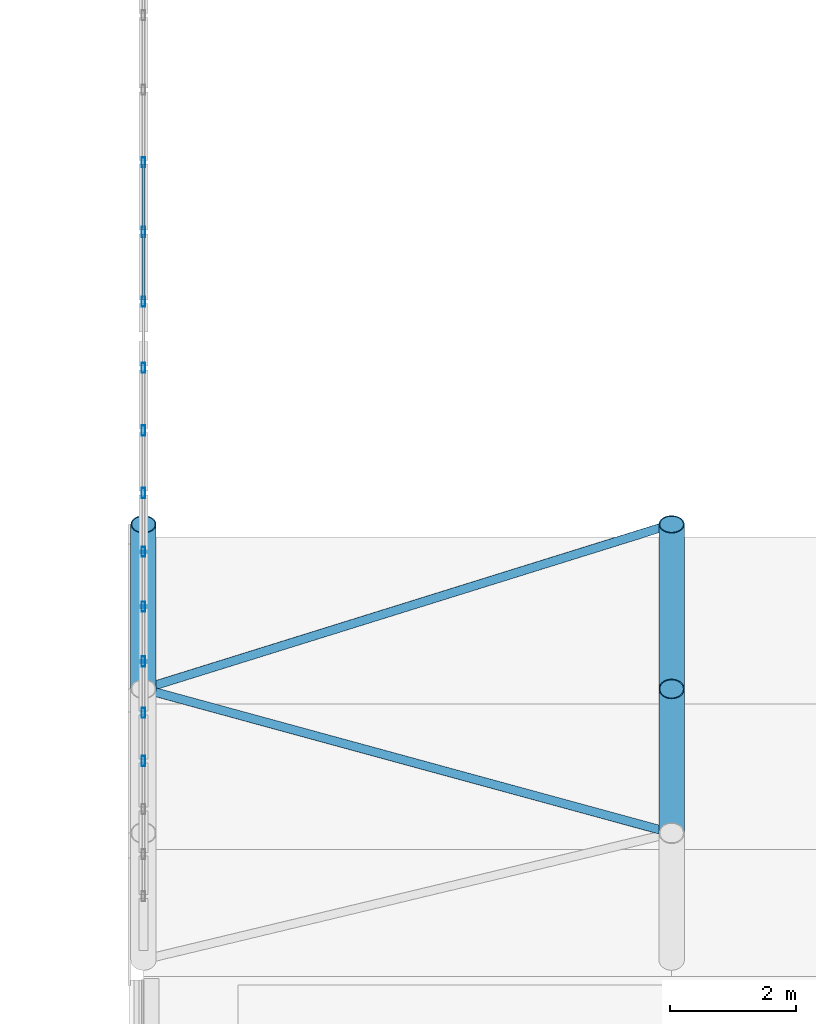
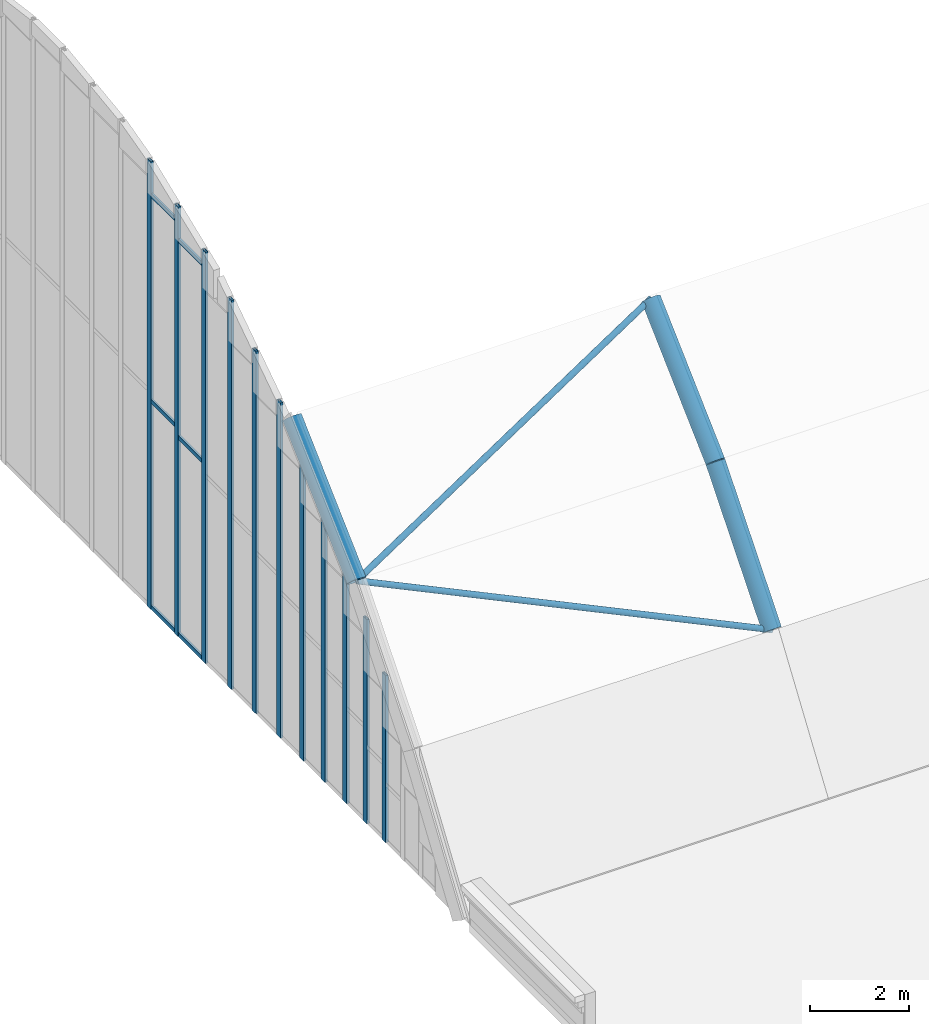
# One storey, part 15 of 77: 22 members, 1 element without a shape of its own.
"""IFC4 building model written with IfcOpenShell, lengths in metres."""

from ifc_helpers import new_model, si_unit, direction, frame, origin, origin_2d, place, context, subcontext, project, spatial, hollow_rectangle, hollow_circle, extrude, material, material_profile, profile_set, type_object, element, aggregate, save


model = new_model("IFC4")

# Units and contexts
model_context = context("Model", 3, precision=1e-05, world=origin(), true_north=direction((0.0, 1.0)))
body_context = subcontext(model_context, "Body", "Model", "MODEL_VIEW")
ifc_project = project(units=[si_unit("LENGTHUNIT", "METRE"), si_unit("AREAUNIT", "SQUARE_METRE"), si_unit("VOLUMEUNIT", "CUBIC_METRE"), si_unit("PLANEANGLEUNIT", "RADIAN"), si_unit("MASSUNIT", "GRAM", prefix="KILO")], contexts=[model_context])

# Site, building, storey
site_placement = place(None, origin())
site = spatial("IfcSite", under=ifc_project, at=site_placement, CompositionType="ELEMENT")
building_placement = place(site_placement, origin())
building = spatial("IfcBuilding", under=site, at=building_placement, Name="Catenary Quay Ferry Terminal", CompositionType="ELEMENT")
storey_placement = place(building_placement, frame((0.0, 0.0, 10.800048828125)))
storey = spatial("IfcBuildingStorey", under=building, at=storey_placement, Name="L02", CompositionType="ELEMENT", Elevation=10.800048828125)

# Members
ifc_material_1 = material(Name="Steel S355", Category="steel")
ifc_material_profile_1 = material_profile(ifc_material_1, hollow_circle(Radius=0.06982421875, WallThickness=0.008056640625, at=origin_2d()), Name="CHS 139.7x8")
ifc_profile_set_1 = profile_set([ifc_material_profile_1], Name="Steel S355")
member_type_1 = type_object("IfcMemberType", Name="BR1 CHS 139.7x8", PredefinedType="BRACE", material=ifc_profile_set_1)
member_1_placement = place(storey_placement, frame((33.60009765625, 111.215087890625, 2.970947265625), z_axis=(-0.919519375004, 0.250892199045, 0.302551191456), x_axis=(-0.263228912464, -0.964733403404, 0.0)))
element("IfcMember", 1, at=member_1_placement, inside=storey, type_object=member_type_1, Name="Roof brace BR-VD-01-02", PredefinedType="BRACE", context=body_context, shape_type="SweptSolid", body=[
    extrude(hollow_circle(Radius=0.06982421875, WallThickness=0.008056640625, at=origin_2d()), origin(), (0.0, 0.0, 1.0), 9.13525390625),
])
member_2_placement = place(storey_placement, frame((25.199951171875, 113.507080078125, 5.73486328125), z_axis=(0.919554814381, 0.28668772325, 0.268754707281), x_axis=(-0.297638235133, 0.954678731819, 0.0)))
element("IfcMember", 2, at=member_2_placement, inside=storey, type_object=member_type_1, Name="Roof brace BR-VD-01-03", PredefinedType="BRACE", context=body_context, shape_type="SweptSolid", body=[
    extrude(hollow_circle(Radius=0.06982421875, WallThickness=0.008056640625, at=origin_2d()), origin(), (0.0, 0.0, 1.0), 9.135009765625),
])

# Curtain wall, members
ifc_material_2 = material(Name="Aluminium and glass", Category="aluminium")
curtain_wall_type = type_object("IfcCurtainWallType", Name="CWA", PredefinedType="NOTDEFINED", material=ifc_material_2)
curtain_wall_placement = place(storey_placement, origin())
curtain_wall = element("IfcCurtainWall", 3, at=curtain_wall_placement, inside=storey, type_object=curtain_wall_type, Name="Arch departure hall curtain wall CW17", PredefinedType="NOTDEFINED")
ifc_material_3 = material(Name="Aluminium", Category="aluminium")
ifc_material_profile_2 = material_profile(ifc_material_3, hollow_rectangle(XDim=0.06005859375, YDim=0.159912109375, WallThickness=0.006103515625, at=origin_2d()), Name="MU5")
ifc_profile_set_2 = profile_set([ifc_material_profile_2], Name="Aluminium")
member_type_2 = type_object("IfcMemberType", Name="MU5", PredefinedType="MULLION", material=ifc_profile_set_2)
member_3_placement = place(storey_placement, frame((25.199951171875, 112.361083984375, 0.0), z_axis=(0.0, 0.0, 1.0), x_axis=(-1.0, 0.0, 0.0)))
member_3 = element("IfcMember", 4, at=member_3_placement, type_object=member_type_2, Name="CW17 mullion 4", PredefinedType="MULLION", context=body_context, shape_type="SweptSolid", body=[
    extrude(hollow_rectangle(XDim=0.06005859375, YDim=0.159912109375, WallThickness=0.006103515625, at=origin_2d()), origin(), (0.0, 0.0, 1.0), 4.133056640625),
])
member_4_placement = place(storey_placement, frame((25.199951171875, 113.125, 0.0), z_axis=(0.0, 0.0, 1.0), x_axis=(-1.0, 0.0, 0.0)))
member_4 = element("IfcMember", 5, at=member_4_placement, type_object=member_type_2, Name="CW17 mullion 5", PredefinedType="MULLION", context=body_context, shape_type="SweptSolid", body=[
    extrude(hollow_rectangle(XDim=0.06005859375, YDim=0.159912109375, WallThickness=0.006103515625, at=origin_2d()), origin(), (0.0, 0.0, 1.0), 5.05419921875),
])
member_5_placement = place(storey_placement, frame((25.199951171875, 113.943603515625, 0.0), z_axis=(0.0, 0.0, 1.0), x_axis=(-1.0, 0.0, 0.0)))
member_5 = element("IfcMember", 6, at=member_5_placement, type_object=member_type_2, Name="CW17 mullion 6", PredefinedType="MULLION", context=body_context, shape_type="SweptSolid", body=[
    extrude(hollow_rectangle(XDim=0.06005859375, YDim=0.159912109375, WallThickness=0.006103515625, at=origin_2d()), origin(), (0.0, 0.0, 1.0), 5.924072265625),
])
member_6_placement = place(storey_placement, frame((25.199951171875, 114.81640625, 0.0), z_axis=(0.0, 0.0, 1.0), x_axis=(-1.0, 0.0, 0.0)))
member_6 = element("IfcMember", 7, at=member_6_placement, type_object=member_type_2, Name="CW17 mullion 7", PredefinedType="MULLION", context=body_context, shape_type="SweptSolid", body=[
    extrude(hollow_rectangle(XDim=0.06005859375, YDim=0.159912109375, WallThickness=0.006103515625, at=origin_2d()), origin(), (0.0, 0.0, 1.0), 6.742431640625),
])
member_7_placement = place(storey_placement, frame((25.199951171875, 115.689453125, 0.0), z_axis=(0.0, 0.0, 1.0), x_axis=(-1.0, 0.0, 0.0)))
member_7 = element("IfcMember", 8, at=member_7_placement, type_object=member_type_2, Name="CW17 mullion 8", PredefinedType="MULLION", context=body_context, shape_type="SweptSolid", body=[
    extrude(hollow_rectangle(XDim=0.06005859375, YDim=0.159912109375, WallThickness=0.006103515625, at=origin_2d()), origin(), (0.0, 0.0, 1.0), 7.560791015625),
])
member_8_placement = place(storey_placement, frame((25.199951171875, 116.623291015625, 0.0), z_axis=(0.0, 0.0, 1.0), x_axis=(-1.0, 0.0, 0.0)))
member_8 = element("IfcMember", 9, at=member_8_placement, type_object=member_type_2, Name="CW17 mullion 9", PredefinedType="MULLION", context=body_context, shape_type="SweptSolid", body=[
    extrude(hollow_rectangle(XDim=0.06005859375, YDim=0.159912109375, WallThickness=0.006103515625, at=origin_2d()), origin(), (0.0, 0.0, 1.0), 8.302734375),
])
member_9_placement = place(storey_placement, frame((25.199951171875, 117.617919921875, 0.0), z_axis=(0.0, 0.0, 1.0), x_axis=(-1.0, 0.0, 0.0)))
member_9 = element("IfcMember", 10, at=member_9_placement, type_object=member_type_2, Name="CW17 mullion 10", PredefinedType="MULLION", context=body_context, shape_type="SweptSolid", body=[
    extrude(hollow_rectangle(XDim=0.06005859375, YDim=0.159912109375, WallThickness=0.006103515625, at=origin_2d()), origin(), (0.0, 0.0, 1.0), 8.968505859375),
])
member_10_placement = place(storey_placement, frame((25.199951171875, 118.612548828125, 0.0), z_axis=(0.0, 0.0, 1.0), x_axis=(-1.0, 0.0, 0.0)))
member_10 = element("IfcMember", 11, at=member_10_placement, type_object=member_type_2, Name="CW17 mullion 11", PredefinedType="MULLION", context=body_context, shape_type="SweptSolid", body=[
    extrude(hollow_rectangle(XDim=0.06005859375, YDim=0.159912109375, WallThickness=0.006103515625, at=origin_2d()), origin(), (0.0, 0.0, 1.0), 9.634033203125),
])
member_11_placement = place(storey_placement, frame((25.199951171875, 119.665283203125, 0.0), z_axis=(0.0, 0.0, 1.0), x_axis=(-1.0, 0.0, 0.0)))
member_11 = element("IfcMember", 12, at=member_11_placement, type_object=member_type_2, Name="CW17 mullion 12", PredefinedType="MULLION", context=body_context, shape_type="SweptSolid", body=[
    extrude(hollow_rectangle(XDim=0.06005859375, YDim=0.159912109375, WallThickness=0.006103515625, at=origin_2d()), origin(), (0.0, 0.0, 1.0), 10.189697265625),
])
member_12_placement = place(storey_placement, frame((25.199951171875, 120.775390625, 0.0), z_axis=(0.0, 0.0, 1.0), x_axis=(-1.0, 0.0, 0.0)))
member_12 = element("IfcMember", 13, at=member_12_placement, type_object=member_type_2, Name="CW17 mullion 13", PredefinedType="MULLION", context=body_context, shape_type="SweptSolid", body=[
    extrude(hollow_rectangle(XDim=0.06005859375, YDim=0.159912109375, WallThickness=0.006103515625, at=origin_2d()), origin(), (0.0, 0.0, 1.0), 10.635498046875),
])
member_13_placement = place(storey_placement, frame((25.199951171875, 121.8857421875, 0.0), z_axis=(0.0, 0.0, 1.0), x_axis=(-1.0, 0.0, 0.0)))
member_13 = element("IfcMember", 14, at=member_13_placement, type_object=member_type_2, Name="CW17 mullion 14", PredefinedType="MULLION", context=body_context, shape_type="SweptSolid", body=[
    extrude(hollow_rectangle(XDim=0.06005859375, YDim=0.159912109375, WallThickness=0.006103515625, at=origin_2d()), origin(), (0.0, 0.0, 1.0), 11.0810546875),
])
ifc_material_4 = material(Name="Aluminium", Category="aluminium")
ifc_material_profile_3 = material_profile(ifc_material_4, hollow_rectangle(XDim=0.050048828125, YDim=0.10009765625, WallThickness=0.00390625, at=origin_2d()), Name="TR4")
ifc_profile_set_3 = profile_set([ifc_material_profile_3], Name="Aluminium")
member_type_3 = type_object("IfcMemberType", Name="TR4", PredefinedType="USERDEFINED", material=ifc_profile_set_3)
member_14_placement = place(storey_placement, frame((25.199951171875, 119.695068359375, 0.050048828125), z_axis=(0.0, 1.0, 0.0), x_axis=(-1.0, 0.0, 0.0)))
member_14 = element("IfcMember", 15, at=member_14_placement, type_object=member_type_3, Name="CW17 transom 12.1", ObjectType="TRANSOM", PredefinedType="USERDEFINED", context=body_context, shape_type="SweptSolid", body=[
    extrude(hollow_rectangle(XDim=0.050048828125, YDim=0.10009765625, WallThickness=0.00390625, at=origin_2d()), origin(), (0.0, 0.0, 1.0), 1.050537109375),
])
member_15_placement = place(storey_placement, frame((25.199951171875, 119.695068359375, 4.9248046875), z_axis=(0.0, 1.0, 0.0), x_axis=(-1.0, 0.0, 0.0)))
member_15 = element("IfcMember", 16, at=member_15_placement, type_object=member_type_3, Name="CW17 transom 12.2", ObjectType="TRANSOM", PredefinedType="USERDEFINED", context=body_context, shape_type="SweptSolid", body=[
    extrude(hollow_rectangle(XDim=0.050048828125, YDim=0.10009765625, WallThickness=0.00390625, at=origin_2d()), origin(), (0.0, 0.0, 1.0), 1.050537109375),
])
member_16_placement = place(storey_placement, frame((25.199951171875, 119.695068359375, 9.7998046875), z_axis=(0.0, 1.0, 0.0), x_axis=(-1.0, 0.0, 0.0)))
member_16 = element("IfcMember", 17, at=member_16_placement, type_object=member_type_3, Name="CW17 transom 12.3", ObjectType="TRANSOM", PredefinedType="USERDEFINED", context=body_context, shape_type="SweptSolid", body=[
    extrude(hollow_rectangle(XDim=0.050048828125, YDim=0.10009765625, WallThickness=0.00390625, at=origin_2d()), origin(), (0.0, 0.0, 1.0), 1.050537109375),
])
member_17_placement = place(storey_placement, frame((25.199951171875, 120.805419921875, 0.050048828125), z_axis=(0.0, 1.0, 0.0), x_axis=(-1.0, 0.0, 0.0)))
member_17 = element("IfcMember", 18, at=member_17_placement, type_object=member_type_3, Name="CW17 transom 13.1", ObjectType="TRANSOM", PredefinedType="USERDEFINED", context=body_context, shape_type="SweptSolid", body=[
    extrude(hollow_rectangle(XDim=0.050048828125, YDim=0.10009765625, WallThickness=0.00390625, at=origin_2d()), origin(), (0.0, 0.0, 1.0), 1.05029296875),
])
member_18_placement = place(storey_placement, frame((25.199951171875, 120.805419921875, 5.147705078125), z_axis=(0.0, 1.0, 0.0), x_axis=(-1.0, 0.0, 0.0)))
member_18 = element("IfcMember", 19, at=member_18_placement, type_object=member_type_3, Name="CW17 transom 13.2", ObjectType="TRANSOM", PredefinedType="USERDEFINED", context=body_context, shape_type="SweptSolid", body=[
    extrude(hollow_rectangle(XDim=0.050048828125, YDim=0.10009765625, WallThickness=0.00390625, at=origin_2d()), origin(), (0.0, 0.0, 1.0), 1.05029296875),
])
member_19_placement = place(storey_placement, frame((25.199951171875, 120.805419921875, 10.245361328125), z_axis=(0.0, 1.0, 0.0), x_axis=(-1.0, 0.0, 0.0)))
member_19 = element("IfcMember", 20, at=member_19_placement, type_object=member_type_3, Name="CW17 transom 13.3", ObjectType="TRANSOM", PredefinedType="USERDEFINED", context=body_context, shape_type="SweptSolid", body=[
    extrude(hollow_rectangle(XDim=0.050048828125, YDim=0.10009765625, WallThickness=0.00390625, at=origin_2d()), origin(), (0.0, 0.0, 1.0), 1.05029296875),
])
aggregate(curtain_wall, [member_3, member_4, member_5, member_6, member_7, member_8, member_9, member_10, member_11, member_12, member_13, member_14, member_15, member_16, member_17, member_18, member_19])

# Members
ifc_material_5 = material(Name="Steel S355", Category="steel")
ifc_material_profile_4 = material_profile(ifc_material_5, hollow_circle(Radius=0.203125, WallThickness=0.01611328125, at=origin_2d()), Name="CHS 406.4x16")
ifc_profile_set_4 = profile_set([ifc_material_profile_4], Name="Steel S355")
member_type_4 = type_object("IfcMemberType", Name="VR3 CHS 406.4x16", PredefinedType="RAFTER", material=ifc_profile_set_4)
member_20_placement = place(storey_placement, frame((25.199951171875, 113.507080078125, 5.73486328125), z_axis=(0.0, 0.729556292242, 0.683920767669), x_axis=(-1.0, 0.0, 0.0)))
element("IfcMember", 21, at=member_20_placement, inside=storey, type_object=member_type_4, Name="Vault rib VD-01-03", PredefinedType="RAFTER", context=body_context, shape_type="SweptSolid", body=[
    extrude(hollow_circle(Radius=0.203125, WallThickness=0.01611328125, at=origin_2d()), origin(), (0.0, 0.0, 1.0), 3.589599609375),
])
member_21_placement = place(storey_placement, frame((33.60009765625, 111.215087890625, 2.970947265625), z_axis=(0.0, 0.638329973705, 0.769762849629), x_axis=(-1.0, 0.0, 0.0)))
element("IfcMember", 22, at=member_21_placement, inside=storey, type_object=member_type_4, Name="Vault rib VD-02-02", PredefinedType="RAFTER", context=body_context, shape_type="SweptSolid", body=[
    extrude(hollow_circle(Radius=0.203125, WallThickness=0.01611328125, at=origin_2d()), origin(), (0.0, 0.0, 1.0), 3.590576171875),
])
member_22_placement = place(storey_placement, frame((33.60009765625, 113.507080078125, 5.73486328125), z_axis=(0.0, 0.729556292242, 0.683920767669), x_axis=(-1.0, 0.0, 0.0)))
element("IfcMember", 23, at=member_22_placement, inside=storey, type_object=member_type_4, Name="Vault rib VD-02-03", PredefinedType="RAFTER", context=body_context, shape_type="SweptSolid", body=[
    extrude(hollow_circle(Radius=0.203125, WallThickness=0.01611328125, at=origin_2d()), origin(), (0.0, 0.0, 1.0), 3.589599609375),
])

save(model, "model.ifc")
